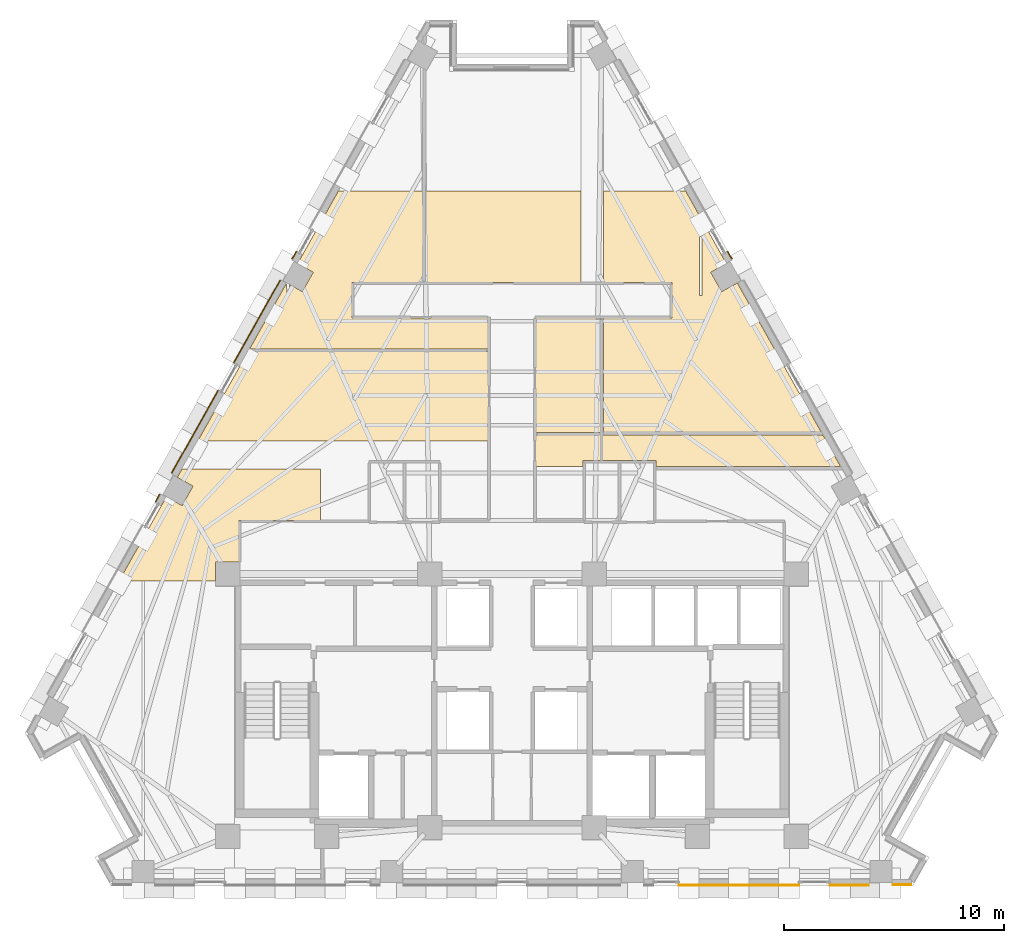
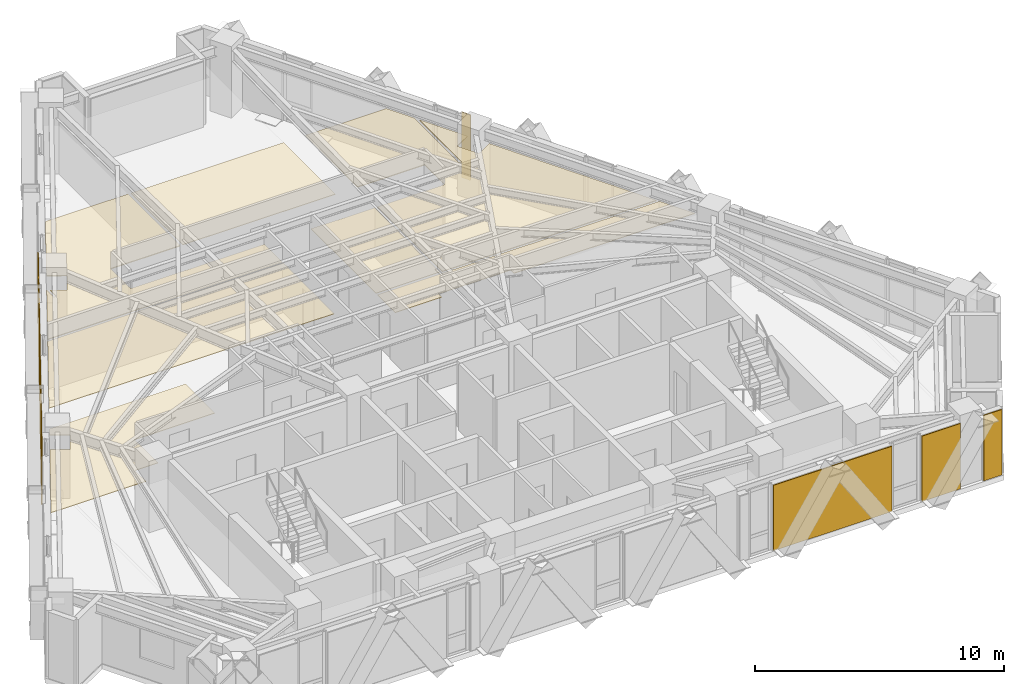
# One storey, part 12 of 14: 15 coverings.
"""IFC4 building model written with IfcOpenShell, lengths in metres."""

from ifc_helpers import new_model, si_unit, direction, frame, origin, place, context, subcontext, project, spatial, polyline, outline, extrude, material, layer, layer_set, type_object, element, save


model = new_model("IFC4")

# Units and contexts
model_context = context("Model", 3, precision=1e-05, world=origin(), true_north=direction((0.0, 1.0)))
body_context = subcontext(model_context, "Body", "Model", "MODEL_VIEW")
ifc_project = project(units=[si_unit("LENGTHUNIT", "METRE"), si_unit("AREAUNIT", "SQUARE_METRE"), si_unit("VOLUMEUNIT", "CUBIC_METRE"), si_unit("PLANEANGLEUNIT", "RADIAN"), si_unit("MASSUNIT", "GRAM", prefix="KILO")], contexts=[model_context])

# Site, building, storey
site_placement = place(None, origin())
site = spatial("IfcSite", under=ifc_project, at=site_placement, CompositionType="ELEMENT")
building_placement = place(site_placement, origin())
building = spatial("IfcBuilding", under=site, at=building_placement, Name="Quenlor Broadcast Tower", CompositionType="ELEMENT")
storey_placement = place(building_placement, frame((0.0, 0.0, 168.5)))
storey = spatial("IfcBuildingStorey", under=building, at=storey_placement, Name="L46", CompositionType="ELEMENT", Elevation=168.5)

# Coverings
ifc_material_1 = material(Name="Acoustic Mineral Fibre Board", Category="other")
ifc_layer_1 = layer(ifc_material_1, 0.02490234375)
ifc_layer_set_1 = layer_set([ifc_layer_1], Name="Acoustic Perforated Mineral Tile Ceiling 25")
covering_type_1 = type_object("IfcCoveringType", Name="Acoustic Perforated Mineral Tile Ceiling 25", PredefinedType="CEILING", material=ifc_layer_set_1)
covering_1_placement = place(storey_placement, frame((0.0, 0.0, 2.375)))
element("IfcCovering", 1, at=covering_1_placement, inside=storey, type_object=covering_type_1, Name="L46 Acoustic Ceiling L46-31", PredefinedType="CEILING", context=body_context, shape_type="SweptSolid", body=[
    extrude(outline(polyline([(3.139892578125, 8.47998046875), (-3.93994140625, 8.47998046875), (-3.93994140625, 12.64990234375), (3.139892578125, 12.64990234375), (3.139892578125, 8.47998046875)])), origin(), (0.0, 0.0, 1.0), 0.02490234375),
])
covering_2_placement = place(storey_placement, frame((0.0, 0.0, 2.375)))
element("IfcCovering", 2, at=covering_2_placement, inside=storey, type_object=covering_type_1, Name="L46 Acoustic Ceiling L46-34", PredefinedType="CEILING", context=body_context, shape_type="SweptSolid", body=[
    extrude(outline(polyline([(4.0400390625, 1.659912109375), (1.080078125, 1.659912109375), (1.080078125, 6.8701171875), (4.0400390625, 6.8701171875), (4.0400390625, 1.659912109375)])), origin(), (0.0, 0.0, 1.0), 0.02490234375),
])
covering_3_placement = place(storey_placement, frame((0.0, 0.0, 2.375)))
element("IfcCovering", 3, at=covering_3_placement, inside=storey, type_object=covering_type_1, Name="L46 Acoustic Ceiling L46-35", PredefinedType="CEILING", context=body_context, shape_type="SweptSolid", body=[
    extrude(outline(polyline([(-14.313720703125, 1.260009765625), (-12.018798828125, 5.340087890625), (-1.080078125, 5.340087890625), (-1.080078125, 1.260009765625), (-14.313720703125, 1.260009765625)])), origin(), (0.0, 0.0, 1.0), 0.02490234375),
])
covering_4_placement = place(storey_placement, frame((0.0, 0.0, 2.375)))
element("IfcCovering", 4, at=covering_4_placement, inside=storey, type_object=covering_type_1, Name="L46 Acoustic Ceiling L46-36", PredefinedType="CEILING", context=body_context, shape_type="SweptSolid", body=[
    extrude(outline(polyline([(1.080078125, 0.103759765625), (1.080078125, 1.5400390625), (14.15625, 1.5400390625), (14.964111328125, 0.103759765625), (6.570068359375, 0.103759765625), (6.570068359375, 0.3701171875), (3.22998046875, 0.3701171875), (3.22998046875, 0.103759765625), (1.080078125, 0.103759765625)])), origin(), (0.0, 0.0, 1.0), 0.02490234375),
])
covering_5_placement = place(storey_placement, frame((0.0, 0.0, 2.375)))
element("IfcCovering", 5, at=covering_5_placement, inside=storey, type_object=covering_type_1, Name="L46 Acoustic Ceiling L46-37", PredefinedType="CEILING", context=body_context, shape_type="SweptSolid", body=[
    extrude(outline(polyline([(-15.7431640625, -1.281494140625), (-15.0302734375, -1.6826171875), (-14.5322265625, -0.797119140625), (-15.2451171875, -0.39599609375), (-15.031494140625, -0.016357421875), (-8.71435546875, -0.016357421875), (-8.71435546875, -2.3701171875), (-12.43994140625, -2.3701171875), (-12.43994140625, -4.241943359375), (-13.508056640625, -4.241943359375), (-13.508056640625, -5.1201171875), (-16.739990234375, -5.1201171875), (-16.860107421875, -5.1201171875), (-17.90234375, -5.1201171875), (-15.7431640625, -1.281494140625)])), origin(), (0.0, 0.0, 1.0), 0.02490234375),
])
ifc_material_2 = material(Name="Acoustic Gypsum Board", Category="other")
ifc_layer_2 = layer(ifc_material_2, 0.0400390625)
ifc_layer_set_2 = layer_set([ifc_layer_2], Name="Broadcast Studio Spring Isolated Ceiling 40")
covering_type_2 = type_object("IfcCoveringType", Name="Broadcast Studio Spring Isolated Ceiling 40", PredefinedType="CEILING", material=ifc_layer_set_2)
covering_6_placement = place(storey_placement, frame((0.0, 0.0, 2.360107421875)))
element("IfcCovering", 6, at=covering_6_placement, inside=storey, type_object=covering_type_2, Name="L46 Acoustic Ceiling L46-32", PredefinedType="CEILING", context=body_context, shape_type="SweptSolid", body=[
    extrude(outline(polyline([(-10.139892578125, 8.393798828125), (-9.54931640625, 8.0615234375), (-9.05126953125, 8.947021484375), (-9.76416015625, 9.347900390625), (-7.90673828125, 12.64990234375), (-4.06005859375, 12.64990234375), (-4.06005859375, 8.47998046875), (-7.280029296875, 8.47998046875), (-7.280029296875, 6.8701171875), (-1.080078125, 6.8701171875), (-1.080078125, 5.4599609375), (-11.951171875, 5.4599609375), (-10.26220703125, 8.46240234375), (-10.260009765625, 7.89990234375), (-10.139892578125, 7.89990234375), (-10.139892578125, 8.393798828125)])), origin(), (0.0, 0.0, 1.0), 0.039794921875),
])
covering_7_placement = place(storey_placement, frame((0.0, 0.0, 2.360107421875)))
element("IfcCovering", 7, at=covering_7_placement, inside=storey, type_object=covering_type_2, Name="L46 Acoustic Ceiling L46-33", PredefinedType="CEILING", context=body_context, shape_type="SweptSolid", body=[
    extrude(outline(polyline([(8.659912109375, 11.310791015625), (9.76416015625, 9.347900390625), (9.05126953125, 8.947021484375), (9.54931640625, 8.0615234375), (10.26220703125, 8.46240234375), (14.088623046875, 1.659912109375), (4.159912109375, 1.659912109375), (4.159912109375, 6.8701171875), (7.280029296875, 6.8701171875), (7.280029296875, 8.47998046875), (4.159912109375, 8.47998046875), (4.159912109375, 12.64990234375), (7.90673828125, 12.64990234375), (8.5400390625, 11.5244140625), (8.5400390625, 7.89990234375), (8.659912109375, 7.89990234375), (8.659912109375, 11.310791015625)])), origin(), (0.0, 0.0, 1.0), 0.039794921875),
])
ifc_material_3 = material(Name="Architectural Terracotta Ceramic", Category="masonry")
ifc_layer_3 = layer(ifc_material_3, 0.044921875)
ifc_layer_set_3 = layer_set([ifc_layer_3], Name="Fluted Terracotta Rainscreen Cladding Panel")
covering_type_3 = type_object("IfcCoveringType", Name="Fluted Terracotta Rainscreen Cladding Panel", PredefinedType="CLADDING", material=ifc_layer_set_3)
covering_8_placement = place(storey_placement, frame((0.0, 0.0, 0.02001953125)))
element("IfcCovering", 8, at=covering_8_placement, inside=storey, type_object=covering_type_3, Name="L46 Terracotta Rainscreen Cladding L46-SHD-SS0", PredefinedType="CLADDING", context=body_context, shape_type="SweptSolid", body=[
    extrude(outline(polyline([(18.179931640625, -18.93701171875), (17.343505859375, -18.93701171875), (17.343505859375, -18.98193359375), (18.179931640625, -18.98193359375), (18.179931640625, -18.93701171875)])), origin(), (0.0, 0.0, 1.0), 3.2099609375),
])
covering_9_placement = place(storey_placement, frame((0.0, 0.0, 0.02001953125)))
element("IfcCovering", 9, at=covering_9_placement, inside=storey, type_object=covering_type_3, Name="L46 Terracotta Rainscreen Cladding L46-SA-SP1", PredefinedType="CLADDING", context=body_context, shape_type="SweptSolid", body=[
    extrude(outline(polyline([(16.25341796875, -18.95703125), (14.47509765625, -18.95703125), (14.47509765625, -19.001953125), (16.25341796875, -19.001953125), (16.25341796875, -18.95703125)])), origin(), (0.0, 0.0, 1.0), 3.2099609375),
])
covering_10_placement = place(storey_placement, frame((0.0, 0.0, 0.02001953125)))
element("IfcCovering", 10, at=covering_10_placement, inside=storey, type_object=covering_type_3, Name="L46 Terracotta Rainscreen Cladding L46-SA-SP2", PredefinedType="CLADDING", context=body_context, shape_type="SweptSolid", body=[
    extrude(outline(polyline([(13.076904296875, -18.95703125), (7.5869140625, -18.95703125), (7.5869140625, -19.001953125), (13.076904296875, -19.001953125), (13.076904296875, -18.95703125)])), origin(), (0.0, 0.0, 1.0), 3.2099609375),
])
covering_11_placement = place(storey_placement, frame((0.0, 0.0, 0.02001953125)))
element("IfcCovering", 11, at=covering_11_placement, inside=storey, type_object=covering_type_3, Name="L46 Terracotta Rainscreen Cladding L46-NEA-SP3", PredefinedType="CLADDING", context=body_context, shape_type="SweptSolid", body=[
    extrude(outline(polyline([(9.803955078125, 9.88330078125), (10.0, 9.53466796875), (10.039306640625, 9.556640625), (9.843017578125, 9.9052734375), (9.803955078125, 9.88330078125)])), origin(), (0.0, 0.0, 1.0), 3.2099609375),
])
covering_12_placement = place(storey_placement, frame((0.0, 0.0, 0.02001953125)))
element("IfcCovering", 12, at=covering_12_placement, inside=storey, type_object=covering_type_3, Name="L46 Terracotta Rainscreen Cladding L46-NWA-SP3", PredefinedType="CLADDING", context=body_context, shape_type="SweptSolid", body=[
    extrude(outline(polyline([(-16.22119140625, -1.525390625), (-16.025146484375, -1.1767578125), (-16.064453125, -1.15478515625), (-16.260498046875, -1.50341796875), (-16.22119140625, -1.525390625)])), origin(), (0.0, 0.0, 1.0), 3.2099609375),
])
covering_13_placement = place(storey_placement, frame((0.0, 0.0, 0.02001953125)))
element("IfcCovering", 13, at=covering_13_placement, inside=storey, type_object=covering_type_3, Name="L46 Terracotta Rainscreen Cladding L46-NWC-SP1", PredefinedType="CLADDING", context=body_context, shape_type="SweptSolid", body=[
    extrude(outline(polyline([(-10.0, 9.53466796875), (-9.803955078125, 9.88330078125), (-9.843017578125, 9.9052734375), (-10.039306640625, 9.556640625), (-10.0, 9.53466796875)])), origin(), (0.0, 0.0, 1.0), 3.2099609375),
])
covering_14_placement = place(storey_placement, frame((0.0, 0.0, 0.02001953125)))
element("IfcCovering", 14, at=covering_14_placement, inside=storey, type_object=covering_type_3, Name="L46 Terracotta Rainscreen Cladding L46-NW-SP1", PredefinedType="CLADDING", context=body_context, shape_type="SweptSolid", body=[
    extrude(outline(polyline([(-15.4833984375, -0.213623046875), (-13.367919921875, 3.547119140625), (-13.4072265625, 3.569091796875), (-15.522705078125, -0.191650390625), (-15.4833984375, -0.213623046875)])), origin(), (0.0, 0.0, 1.0), 3.2099609375),
])
covering_15_placement = place(storey_placement, frame((0.0, 0.0, 0.02001953125)))
element("IfcCovering", 15, at=covering_15_placement, inside=storey, type_object=covering_type_3, Name="L46 Terracotta Rainscreen Cladding L46-NW-SP2", PredefinedType="CLADDING", context=body_context, shape_type="SweptSolid", body=[
    extrude(outline(polyline([(-12.656982421875, 4.810791015625), (-10.541748046875, 8.571533203125), (-10.580810546875, 8.593505859375), (-12.6962890625, 4.832763671875), (-12.656982421875, 4.810791015625)])), origin(), (0.0, 0.0, 1.0), 3.2099609375),
])

save(model, "model.ifc")
